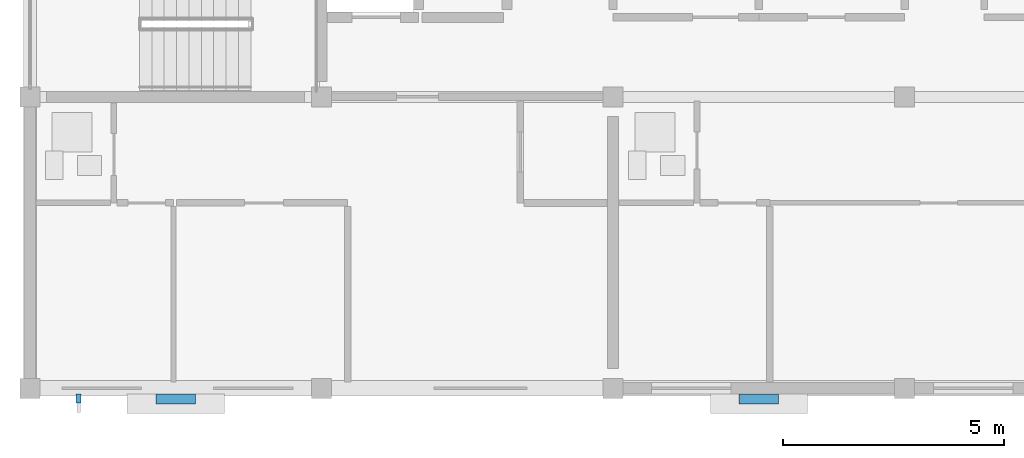
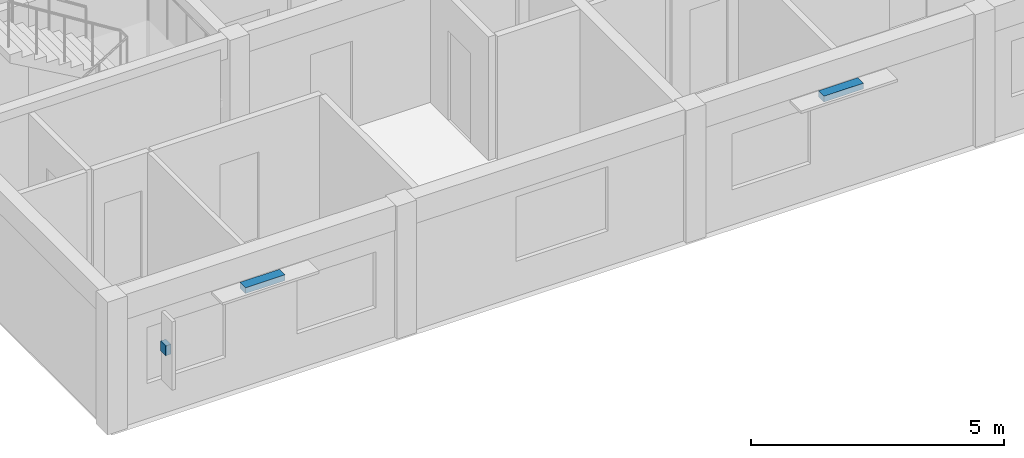
# One storey, part 17 of 22: 3 discrete accessories.
"""IFC4 building model written with IfcOpenShell, lengths in metres."""

from ifc_helpers import new_model, si_unit, direction, frame, origin, origin_2d, place, context, subcontext, project, spatial, rectangle, extrude, material, type_object, element, save


model = new_model("IFC4")

# Units and contexts
model_context = context("Model", 3, precision=1e-05, world=origin(), true_north=direction((0.0, 1.0)))
body_context = subcontext(model_context, "Body", "Model", "MODEL_VIEW")
ifc_project = project(units=[si_unit("LENGTHUNIT", "METRE"), si_unit("AREAUNIT", "SQUARE_METRE"), si_unit("VOLUMEUNIT", "CUBIC_METRE"), si_unit("PLANEANGLEUNIT", "RADIAN"), si_unit("MASSUNIT", "GRAM", prefix="KILO")], contexts=[model_context])

# Site, building, storey
site_placement = place(None, origin())
site = spatial("IfcSite", under=ifc_project, at=site_placement, CompositionType="ELEMENT")
building_placement = place(site_placement, origin())
building = spatial("IfcBuilding", under=site, at=building_placement, Name="Kernevlak Ridge Housing Community", CompositionType="ELEMENT")
storey_placement = place(building_placement, frame((0.0, 0.0, 43.60009765625)))
storey = spatial("IfcBuildingStorey", under=building, at=storey_placement, Name="L13", CompositionType="ELEMENT", Elevation=43.60009765625)

# Discrete accessories
ifc_material = material(Name="Steel S355 galvanised", Category="steel")
discrete_accessory_type = type_object("IfcDiscreteAccessoryType", Name="BK-01", PredefinedType="BRACKET", material=ifc_material)
discrete_accessory_1_placement = place(storey_placement, frame((18.89990234375, 75.760009765625, 2.41015625), z_axis=(0.0, 0.0, 1.0), x_axis=(1.0, 0.0, 0.0)))
element("IfcDiscreteAccessory", 1, at=discrete_accessory_1_placement, inside=storey, type_object=discrete_accessory_type, Name="Sunshade steel bracket 11", PredefinedType="BRACKET", context=body_context, shape_type="SweptSolid", body=[
    extrude(rectangle(XDim=0.89990234375, YDim=0.219970703125, at=origin_2d()), origin(), (0.0, 0.0, 1.0), 0.139892578125),
])
discrete_accessory_2_placement = place(storey_placement, frame((16.699951171875, 75.77001953125, 1.52978515625), z_axis=(0.0, 0.0, 1.0), x_axis=(1.0, 0.0, 0.0)))
element("IfcDiscreteAccessory", 2, at=discrete_accessory_2_placement, inside=storey, type_object=discrete_accessory_type, Name="Vertical fin fixing bracket 11", PredefinedType="BRACKET", context=body_context, shape_type="SweptSolid", body=[
    extrude(rectangle(XDim=0.1201171875, YDim=0.199951171875, at=origin_2d()), origin(), (0.0, 0.0, 1.0), 0.239990234375),
])
discrete_accessory_3_placement = place(storey_placement, frame((32.10009765625, 75.760009765625, 2.41015625), z_axis=(0.0, 0.0, 1.0), x_axis=(1.0, 0.0, 0.0)))
element("IfcDiscreteAccessory", 3, at=discrete_accessory_3_placement, inside=storey, type_object=discrete_accessory_type, Name="Sunshade steel bracket 12", PredefinedType="BRACKET", context=body_context, shape_type="SweptSolid", body=[
    extrude(rectangle(XDim=0.89990234375, YDim=0.219970703125, at=origin_2d()), origin(), (0.0, 0.0, 1.0), 0.139892578125),
])

save(model, "model.ifc")
